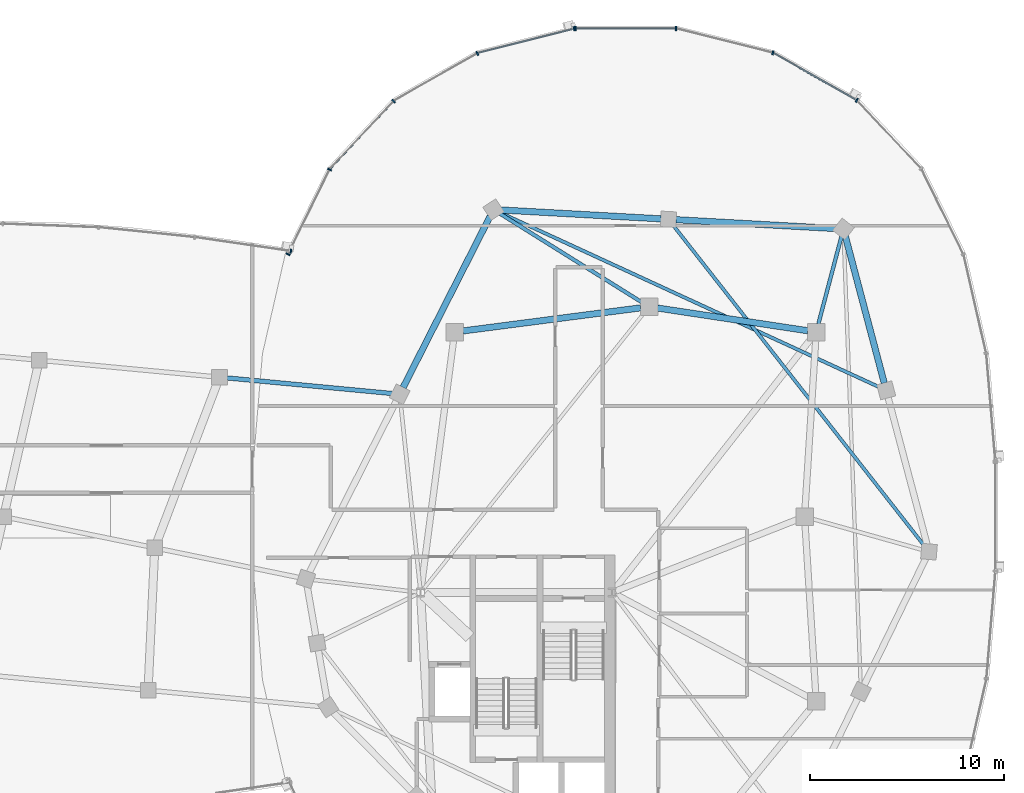
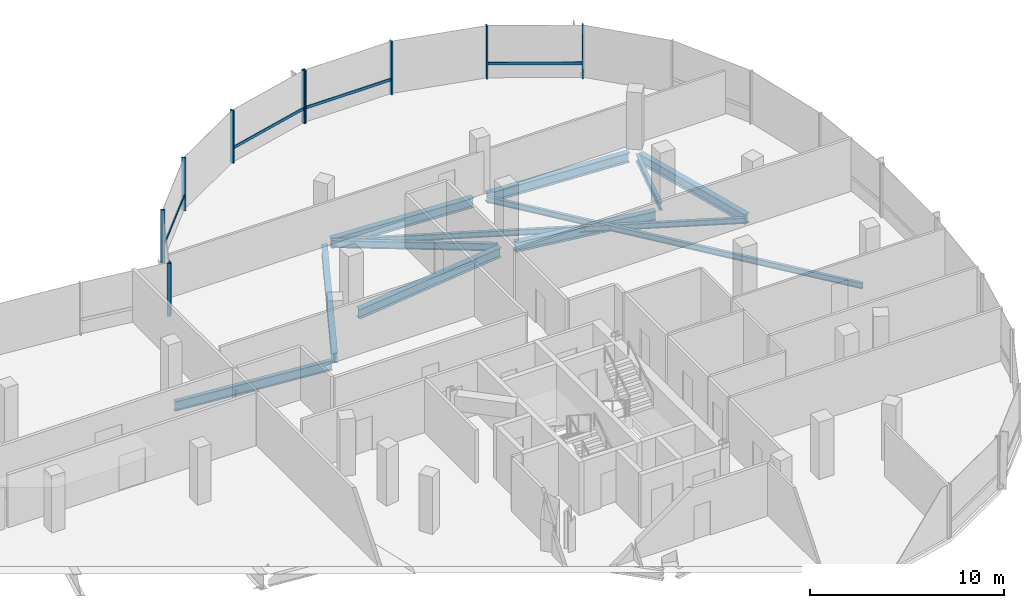
# One storey, part 10 of 26: 14 members, 11 beams, 3 elements without a shape of their own.
"""IFC4 building model written with IfcOpenShell, lengths in metres."""

from ifc_helpers import new_model, si_unit, direction, frame, origin, origin_2d, place, context, subcontext, project, spatial, rectangle, i_section, extrude, material, material_profile, profile_set, type_object, element, aggregate, save


model = new_model("IFC4")

# Units and contexts
model_context = context("Model", 3, precision=1e-05, world=origin(), true_north=direction((0.0, 1.0)))
body_context = subcontext(model_context, "Body", "Model", "MODEL_VIEW")
ifc_project = project(units=[si_unit("LENGTHUNIT", "METRE"), si_unit("AREAUNIT", "SQUARE_METRE"), si_unit("VOLUMEUNIT", "CUBIC_METRE"), si_unit("PLANEANGLEUNIT", "RADIAN"), si_unit("MASSUNIT", "GRAM", prefix="KILO"), si_unit("THERMODYNAMICTEMPERATUREUNIT", "KELVIN"), si_unit("POWERUNIT", "WATT")], contexts=[model_context])

# Site, building, storey
site_placement = place(None, origin())
site = spatial("IfcSite", under=ifc_project, at=site_placement, CompositionType="ELEMENT")
building_placement = place(site_placement, origin())
building = spatial("IfcBuilding", under=site, at=building_placement, Name="Cundina Bronze Exchange", CompositionType="ELEMENT")
storey_placement = place(building_placement, frame((0.0, 0.0, 264.800048828125)))
storey = spatial("IfcBuildingStorey", under=building, at=storey_placement, Name="L70", CompositionType="ELEMENT", Elevation=264.800048828125)

# Beams
ifc_material_1 = material(Name="Steel ASTM A992 Grade 50", Category="steel")
ifc_material_profile_1 = material_profile(ifc_material_1, i_section(OverallWidth=0.19091796875, OverallDepth=0.4599609375, WebThickness=0.010009765625, FlangeThickness=0.01611328125, FilletRadius=0.011962890625, at=origin_2d()), Name="W18X55", Category="steel")
ifc_profile_set_1 = profile_set([ifc_material_profile_1], Name="Steel ASTM A992 Grade 50")
beam_type_1 = type_object("IfcBeamType", Name="BM-FLR-W18B", PredefinedType="BEAM", material=ifc_profile_set_1)
beam_1_placement = place(storey_placement, frame((41.911865234375, 9.923583984375, -0.489990234375), z_axis=(0.255383723615, 0.96683977665, 0.0), x_axis=(-0.96683977665, 0.255383723615, 0.0)))
element("IfcBeam", 1, at=beam_1_placement, inside=storey, type_object=beam_type_1, Name="L70 Leg E Chordal Floor Beam 10", PredefinedType="BEAM", context=body_context, shape_type="SweptSolid", body=[
    extrude(i_section(OverallWidth=0.19091796875, OverallDepth=0.4599609375, WebThickness=0.010009765625, FlangeThickness=0.01611328125, FilletRadius=0.011962890625, at=origin_2d()), origin(), (0.0, 0.0, 1.0), 4.655517578125),
])
beam_2_placement = place(storey_placement, frame((32.82861328125, 11.031982421875, -0.489990234375), z_axis=(-0.847983963552, 0.530021884038, 0.0), x_axis=(-0.530021884038, -0.847983963552, 0.0)))
element("IfcBeam", 2, at=beam_2_placement, inside=storey, type_object=beam_type_1, Name="L70 Leg E Chordal Floor Beam 12", PredefinedType="BEAM", context=body_context, shape_type="SweptSolid", body=[
    extrude(i_section(OverallWidth=0.19091796875, OverallDepth=0.4599609375, WebThickness=0.010009765625, FlangeThickness=0.01611328125, FilletRadius=0.011962890625, at=origin_2d()), origin(), (0.0, 0.0, 1.0), 8.608154296875),
])
ifc_material_profile_2 = material_profile(ifc_material_1, i_section(OverallWidth=0.22998046875, OverallDepth=0.616943359375, WebThickness=0.01318359375, FlangeThickness=0.022216796875, FilletRadius=0.013916015625, at=origin_2d()), Name="W24X94", Category="steel")
ifc_profile_set_2 = profile_set([ifc_material_profile_2], Name="Steel ASTM A992 Grade 50")
beam_type_2 = type_object("IfcBeamType", Name="BM-FLR-W24B", PredefinedType="BEAM", material=ifc_profile_set_2)
beam_3_placement = place(storey_placement, frame((11.285400390625, 7.158203125, -0.628662109375), z_axis=(0.995572136276, -0.094000646124, 0.0), x_axis=(0.094000646124, 0.995572136276, 0.0)))
element("IfcBeam", 3, at=beam_3_placement, inside=storey, type_object=beam_type_2, Name="L70 Sky-Gate Longitudinal Girder Y3-P4", PredefinedType="BEAM", context=body_context, shape_type="SweptSolid", body=[
    extrude(i_section(OverallWidth=0.22998046875, OverallDepth=0.616943359375, WebThickness=0.01318359375, FlangeThickness=0.022216796875, FilletRadius=0.013916015625, at=origin_2d()), origin(), (0.0, 0.0, 1.0), 8.949951171875),
])
ifc_material_profile_3 = material_profile(ifc_material_1, i_section(OverallWidth=0.172119140625, OverallDepth=0.35791015625, WebThickness=0.0078125, FlangeThickness=0.01318359375, FilletRadius=0.010009765625, at=origin_2d()), Name="W14X38", Category="steel")
ifc_profile_set_3 = profile_set([ifc_material_profile_3], Name="Steel ASTM A992 Grade 50")
beam_type_3 = type_object("IfcBeamType", Name="BM-JST-W14", PredefinedType="JOIST", material=ifc_profile_set_3)
beam_4_placement = place(storey_placement, frame((47.360595703125, -1.49462890625, -0.43896484375), z_axis=(-0.616804005008, 0.78711677622, 0.0), x_axis=(-0.78711677622, -0.616804005008, 0.0)))
element("IfcBeam", 4, at=beam_4_placement, inside=storey, type_object=beam_type_3, Name="L70 Leg E Lobe Floor Joist 08-11", PredefinedType="JOIST", context=body_context, shape_type="SweptSolid", body=[
    extrude(i_section(OverallWidth=0.172119140625, OverallDepth=0.35791015625, WebThickness=0.0078125, FlangeThickness=0.01318359375, FilletRadius=0.010009765625, at=origin_2d()), origin(), (0.0, 0.0, 1.0), 20.948974609375),
])
beam_5_placement = place(storey_placement, frame((45.047607421875, 6.662353515625, -0.43896484375), z_axis=(-0.908356175703, 0.418197391266, 0.0), x_axis=(-0.418197391266, -0.908356175703, 0.0)))
element("IfcBeam", 5, at=beam_5_placement, inside=storey, type_object=beam_type_3, Name="L70 Leg E Lobe Floor Joist 09-12", PredefinedType="JOIST", context=body_context, shape_type="SweptSolid", body=[
    extrude(i_section(OverallWidth=0.172119140625, OverallDepth=0.35791015625, WebThickness=0.0078125, FlangeThickness=0.01318359375, FilletRadius=0.010009765625, at=origin_2d()), origin(), (0.0, 0.0, 1.0), 21.4619140625),
])
ifc_material_profile_4 = material_profile(ifc_material_1, i_section(OverallWidth=0.324951171875, OverallDepth=0.615966796875, WebThickness=0.013916015625, FlangeThickness=0.021484375, FilletRadius=0.01611328125, at=origin_2d()), Name="W24X117", Category="steel")
ifc_profile_set_4 = profile_set([ifc_material_profile_4], Name="Steel ASTM A992 Grade 50")
beam_type_4 = type_object("IfcBeamType", Name="BM-RING-W24", PredefinedType="USERDEFINED", material=ifc_profile_set_4)
beam_6_placement = place(storey_placement, frame((41.366943359375, 9.5654296875, -0.568115234375), z_axis=(-0.988764903598, 0.149478979839, 0.0), x_axis=(-0.149478979839, -0.988764903598, 0.0)))
element("IfcBeam", 6, at=beam_6_placement, inside=storey, type_object=beam_type_4, Name="L70 E Inner Structural Ring Girder 05", ObjectType="GIRDER", PredefinedType="USERDEFINED", context=body_context, shape_type="SweptSolid", body=[
    extrude(i_section(OverallWidth=0.324951171875, OverallDepth=0.615966796875, WebThickness=0.013916015625, FlangeThickness=0.021484375, FilletRadius=0.01611328125, at=origin_2d()), origin(), (0.0, 0.0, 1.0), 7.82177734375),
])
beam_7_placement = place(storey_placement, frame((32.765625, 10.743408203125, -0.568115234375), z_axis=(-0.991656498582, -0.128908451316, 0.0), x_axis=(0.128908451316, -0.991656498582, 0.0)))
element("IfcBeam", 7, at=beam_7_placement, inside=storey, type_object=beam_type_4, Name="L70 E Inner Structural Ring Girder 06", ObjectType="GIRDER", PredefinedType="USERDEFINED", context=body_context, shape_type="SweptSolid", body=[
    extrude(i_section(OverallWidth=0.324951171875, OverallDepth=0.615966796875, WebThickness=0.013916015625, FlangeThickness=0.021484375, FilletRadius=0.01611328125, at=origin_2d()), origin(), (0.0, 0.0, 1.0), 9.208251953125),
])
beam_8_placement = place(storey_placement, frame((45.300537109375, 6.875, -0.568115234375), z_axis=(-0.256212999207, 0.966620348967, 0.0), x_axis=(-0.966620348967, -0.256212999207, 0.0)))
element("IfcBeam", 8, at=beam_8_placement, inside=storey, type_object=beam_type_4, Name="L70 E Perimeter Ring Girder 09", ObjectType="GIRDER", PredefinedType="USERDEFINED", context=body_context, shape_type="SweptSolid", body=[
    extrude(i_section(OverallWidth=0.324951171875, OverallDepth=0.615966796875, WebThickness=0.013916015625, FlangeThickness=0.021484375, FilletRadius=0.01611328125, at=origin_2d()), origin(), (0.0, 0.0, 1.0), 7.810791015625),
])
for number, where, z_axis, x_axis, name in (
    (9, (42.8125, 14.821533203125, -0.568115234375), (-0.998459806018, 0.055479868117, 0.0), (-0.055479868117, -0.998459806018, 0.0), "L70 E Perimeter Ring Girder 10"),
    (10, (33.8125, 15.321533203125, -0.568115234375), (-0.998459806018, 0.055479868117, 0.0), (-0.055479868117, -0.998459806018, 0.0), "L70 E Perimeter Ring Girder 11"),
):
    element("IfcBeam", number, at=place(storey_placement, frame(where, z_axis=z_axis, x_axis=x_axis)), inside=storey, type_object=beam_type_4, Name=name, ObjectType="GIRDER", PredefinedType="USERDEFINED", context=body_context, shape_type="SweptSolid", body=[
        extrude(i_section(OverallWidth=0.324951171875, OverallDepth=0.615966796875, WebThickness=0.013916015625, FlangeThickness=0.021484375, FilletRadius=0.01611328125, at=origin_2d()), origin(), (0.0, 0.0, 1.0), 8.23779296875),
    ])
beam_9_placement = place(storey_placement, frame((25.0244140625, 15.4541015625, -0.568115234375), z_axis=(-0.452839263805, -0.891592171991, 0.0), x_axis=(0.891592171991, -0.452839263805, 0.0)))
element("IfcBeam", 11, at=beam_9_placement, inside=storey, type_object=beam_type_4, Name="L70 E Perimeter Ring Girder 12", ObjectType="GIRDER", PredefinedType="USERDEFINED", context=body_context, shape_type="SweptSolid", body=[
    extrude(i_section(OverallWidth=0.324951171875, OverallDepth=0.615966796875, WebThickness=0.013916015625, FlangeThickness=0.021484375, FilletRadius=0.01611328125, at=origin_2d()), origin(), (0.0, 0.0, 1.0), 9.879150390625),
])

# Curtain wall, members
ifc_material_2 = material(Name="Anodised Bronze Aluminium 6063-T6", Category="aluminium")
curtain_wall_type = type_object("IfcCurtainWallType", Name="CWS-SKG-BRG", PredefinedType="NOTDEFINED", material=ifc_material_2)
curtain_wall_1_placement = place(storey_placement, origin())
curtain_wall_1 = element("IfcCurtainWall", 12, at=curtain_wall_1_placement, inside=storey, type_object=curtain_wall_type, Name="L70 CW-06 Curtain Wall Run CWR-L70-E1", PredefinedType="NOTDEFINED")
ifc_material_profile_5 = material_profile(ifc_material_2, rectangle(XDim=0.074951171875, YDim=0.219970703125, at=origin_2d()), Name="AL75X220", Category="aluminium")
ifc_profile_set_5 = profile_set([ifc_material_profile_5], Name="Anodised Bronze Aluminium 6063-T6")
member_type_1 = type_object("IfcMemberType", Name="CWM-MUL-220", PredefinedType="MULLION", material=ifc_profile_set_5)
member_1_placement = place(storey_placement, frame((43.88916015625, 21.419921875, 0.0), z_axis=(0.0, 0.0, 1.0), x_axis=(-0.86958112538, 0.493790103568, 0.0)))
member_1 = element("IfcMember", 13, at=member_1_placement, type_object=member_type_1, Name="CW-06 Mullion 5", PredefinedType="MULLION", context=body_context, shape_type="SweptSolid", body=[
    extrude(rectangle(XDim=0.074951171875, YDim=0.219970703125, at=origin_2d()), origin(), (0.0, 0.0, 1.0), 3.33984375),
])
member_2_placement = place(storey_placement, frame((39.5703125, 23.86181640625, 0.0), z_axis=(0.0, 0.0, 1.0), x_axis=(-0.969744325821, 0.244122802168, 0.0)))
member_2 = element("IfcMember", 14, at=member_2_placement, type_object=member_type_1, Name="CW-06 Mullion 6", PredefinedType="MULLION", context=body_context, shape_type="SweptSolid", body=[
    extrude(rectangle(XDim=0.074951171875, YDim=0.219970703125, at=origin_2d()), origin(), (0.0, 0.0, 1.0), 3.33984375),
])
member_3_placement = place(storey_placement, frame((34.576416015625, 25.110107421875, 0.0), z_axis=(0.0, 0.0, 1.0), x_axis=(-1.0, 0.0, 0.0)))
member_3 = element("IfcMember", 15, at=member_3_placement, type_object=member_type_1, Name="CW-06 Mullion 7", PredefinedType="MULLION", context=body_context, shape_type="SweptSolid", body=[
    extrude(rectangle(XDim=0.074951171875, YDim=0.219970703125, at=origin_2d()), origin(), (0.0, 0.0, 1.0), 3.33984375),
])
member_4_placement = place(storey_placement, frame((29.423583984375, 25.110107421875, 0.0), z_axis=(0.0, 0.0, 1.0), x_axis=(-1.0, 0.0, 0.0)))
member_4 = element("IfcMember", 16, at=member_4_placement, type_object=member_type_1, Name="CW-06 End Mullion", PredefinedType="MULLION", context=body_context, shape_type="SweptSolid", body=[
    extrude(rectangle(XDim=0.074951171875, YDim=0.219970703125, at=origin_2d()), origin(), (0.0, 0.0, 1.0), 3.33984375),
])

curtain_wall_2_placement = place(storey_placement, origin())
curtain_wall_2 = element("IfcCurtainWall", 17, at=curtain_wall_2_placement, inside=storey, type_object=curtain_wall_type, Name="L70 CW-06 Curtain Wall Run CWR-L70-E2", PredefinedType="NOTDEFINED")
member_5_placement = place(storey_placement, frame((29.351806640625, 25.10107421875, 0.0), z_axis=(0.0, 0.0, 1.0), x_axis=(-0.969744325821, -0.244122802168, 0.0)))
member_5 = element("IfcMember", 18, at=member_5_placement, type_object=member_type_1, Name="CW-06 Mullion 1", PredefinedType="MULLION", context=body_context, shape_type="SweptSolid", body=[
    extrude(rectangle(XDim=0.074951171875, YDim=0.219970703125, at=origin_2d()), origin(), (0.0, 0.0, 1.0), 3.33984375),
])
member_6_placement = place(storey_placement, frame((24.365478515625, 23.8359375, 0.0), z_axis=(0.0, 0.0, 1.0), x_axis=(-0.86958112538, -0.493790103568, 0.0)))
member_6 = element("IfcMember", 19, at=member_6_placement, type_object=member_type_1, Name="CW-06 Mullion 2", PredefinedType="MULLION", context=body_context, shape_type="SweptSolid", body=[
    extrude(rectangle(XDim=0.074951171875, YDim=0.219970703125, at=origin_2d()), origin(), (0.0, 0.0, 1.0), 3.33984375),
])
member_7_placement = place(storey_placement, frame((20.059814453125, 21.3798828125, 0.0), z_axis=(0.0, 0.0, 1.0), x_axis=(-0.684292606175, -0.729207535023, 0.0)))
member_7 = element("IfcMember", 20, at=member_7_placement, type_object=member_type_1, Name="CW-06 Mullion 3", PredefinedType="MULLION", context=body_context, shape_type="SweptSolid", body=[
    extrude(rectangle(XDim=0.074951171875, YDim=0.219970703125, at=origin_2d()), origin(), (0.0, 0.0, 1.0), 3.33984375),
])
member_8_placement = place(storey_placement, frame((16.7666015625, 17.856689453125, 0.0), z_axis=(0.0, 0.0, 1.0), x_axis=(-0.440566004113, -0.897720221461, 0.0)))
member_8 = element("IfcMember", 21, at=member_8_placement, type_object=member_type_1, Name="CW-06 Mullion 4", PredefinedType="MULLION", context=body_context, shape_type="SweptSolid", body=[
    extrude(rectangle(XDim=0.074951171875, YDim=0.219970703125, at=origin_2d()), origin(), (0.0, 0.0, 1.0), 3.33984375),
])
member_9_placement = place(storey_placement, frame((14.630859375, 13.50390625, 0.0), z_axis=(0.0, 0.0, 1.0), x_axis=(-0.440566004113, -0.897720221461, 0.0)))
member_9 = element("IfcMember", 22, at=member_9_placement, type_object=member_type_1, Name="CW-06 End Mullion", PredefinedType="MULLION", context=body_context, shape_type="SweptSolid", body=[
    extrude(rectangle(XDim=0.074951171875, YDim=0.219970703125, at=origin_2d()), origin(), (0.0, 0.0, 1.0), 3.33984375),
])

# Curtain wall, member
curtain_wall_3_placement = place(storey_placement, origin())
curtain_wall_3 = element("IfcCurtainWall", 23, at=curtain_wall_3_placement, inside=storey, type_object=curtain_wall_type, Name="L70 CW-06 Curtain Wall Run CWR-L70-BRGN", PredefinedType="NOTDEFINED")
member_10_placement = place(storey_placement, frame((14.779296875, 13.658935546875, 0.0), z_axis=(0.0, 0.0, 1.0), x_axis=(-0.989525789069, 0.144356201001, 0.0)))
member_10 = element("IfcMember", 24, at=member_10_placement, type_object=member_type_1, Name="CW-06 Mullion 1", PredefinedType="MULLION", context=body_context, shape_type="SweptSolid", body=[
    extrude(rectangle(XDim=0.074951171875, YDim=0.219970703125, at=origin_2d()), origin(), (0.0, 0.0, 1.0), 3.280029296875),
])
aggregate(curtain_wall_3, [member_10])

# Member
ifc_material_profile_6 = material_profile(ifc_material_2, rectangle(XDim=0.070068359375, YDim=0.179931640625, at=origin_2d()), Name="AL70X180", Category="aluminium")
ifc_profile_set_6 = profile_set([ifc_material_profile_6], Name="Anodised Bronze Aluminium 6063-T6")
member_type_2 = type_object("IfcMemberType", Name="CWM-TRN-180", PredefinedType="USERDEFINED", material=ifc_profile_set_6)
member_11_placement = place(storey_placement, frame((43.853271484375, 21.440185546875, 0.919921875), z_axis=(-0.869557366176, 0.493831941989, 0.0), x_axis=(-0.493831941989, -0.869557366176, 0.0)))
member_11 = element("IfcMember", 25, at=member_11_placement, type_object=member_type_2, Name="CW-06 Spandrel Transom 5", ObjectType="TRANSOM", PredefinedType="USERDEFINED", context=body_context, shape_type="SweptSolid", body=[
    extrude(rectangle(XDim=0.070068359375, YDim=0.179931640625, at=origin_2d()), origin(), (0.0, 0.0, 1.0), 4.892822265625),
])

member_12_placement = place(storey_placement, frame((34.53515625, 25.110107421875, 0.919921875), z_axis=(-1.0, 0.0, 0.0), x_axis=(0.0, -1.0, 0.0)))
member_12 = element("IfcMember", 26, at=member_12_placement, type_object=member_type_2, Name="CW-06 Spandrel Transom 7", ObjectType="TRANSOM", PredefinedType="USERDEFINED", context=body_context, shape_type="SweptSolid", body=[
    extrude(rectangle(XDim=0.070068359375, YDim=0.179931640625, at=origin_2d()), origin(), (0.0, 0.0, 1.0), 5.070556640625),
])

aggregate(curtain_wall_1, [member_1, member_11, member_2, member_3, member_4, member_12])

member_13_placement = place(storey_placement, frame((29.311767578125, 25.091064453125, 0.919921875), z_axis=(-0.969736547481, -0.244153698478, 0.0), x_axis=(0.244153698478, -0.969736547481, 0.0)))
member_13 = element("IfcMember", 27, at=member_13_placement, type_object=member_type_2, Name="CW-06 Spandrel Transom 1", ObjectType="TRANSOM", PredefinedType="USERDEFINED", context=body_context, shape_type="SweptSolid", body=[
    extrude(rectangle(XDim=0.070068359375, YDim=0.179931640625, at=origin_2d()), origin(), (0.0, 0.0, 1.0), 5.07568359375),
])

member_14_placement = place(storey_placement, frame((20.031494140625, 21.349609375, 0.919921875), z_axis=(-0.684328474899, -0.729173873944, 0.0), x_axis=(0.729173873944, -0.684328474899, 0.0)))
member_14 = element("IfcMember", 28, at=member_14_placement, type_object=member_type_2, Name="CW-06 Spandrel Transom 3", ObjectType="TRANSOM", PredefinedType="USERDEFINED", context=body_context, shape_type="SweptSolid", body=[
    extrude(rectangle(XDim=0.070068359375, YDim=0.179931640625, at=origin_2d()), origin(), (0.0, 0.0, 1.0), 4.758056640625),
])

aggregate(curtain_wall_2, [member_5, member_13, member_6, member_7, member_14, member_8, member_9])

save(model, "model.ifc")
